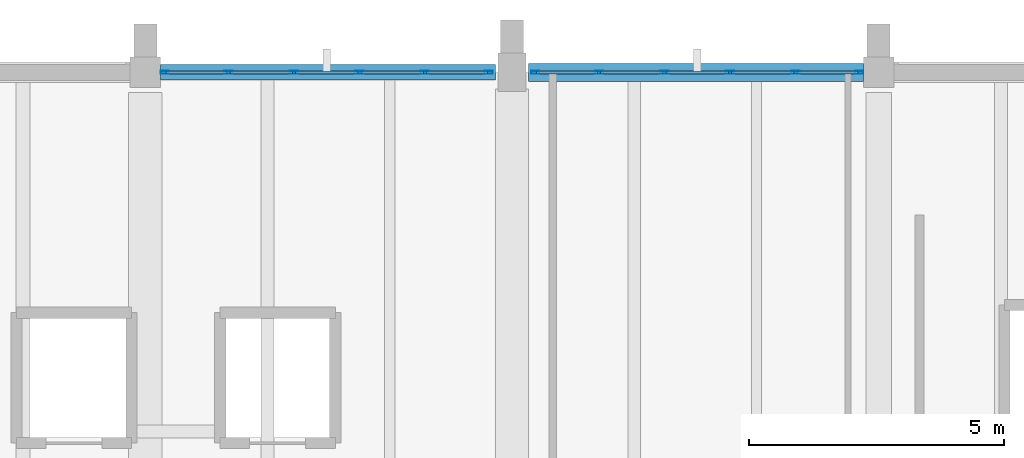
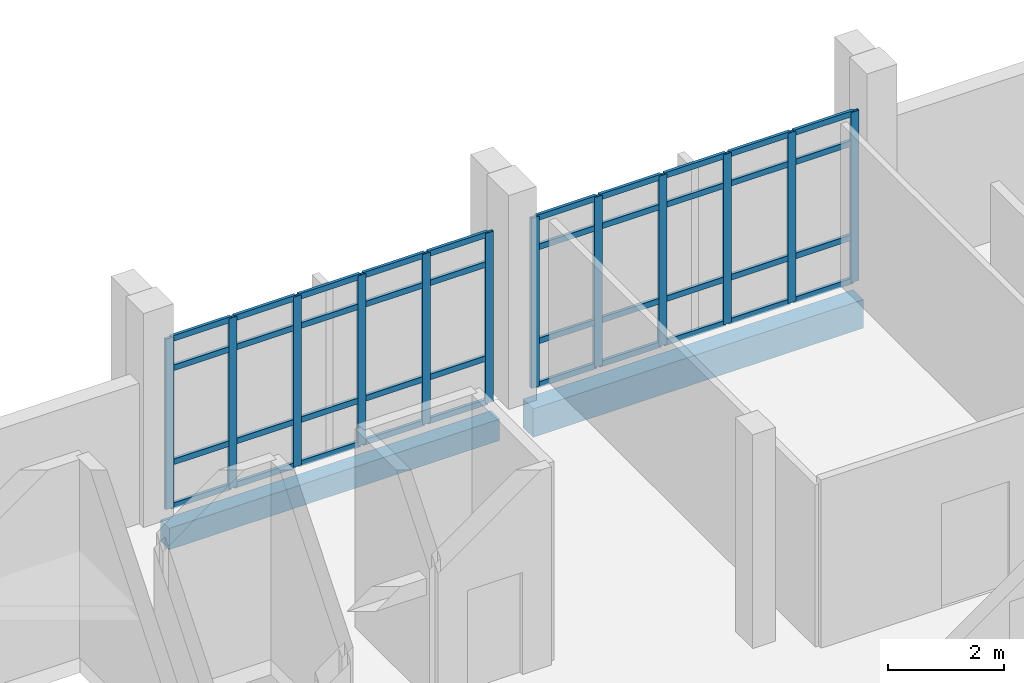
# One storey, part 31 of 62: 52 members, 2 beams, 2 elements without a shape of their own.
"""IFC4 building model written with IfcOpenShell, lengths in metres."""

from ifc_helpers import new_model, si_unit, direction, frame, origin, origin_2d, place, context, subcontext, project, spatial, rectangle, hollow_rectangle, extrude, material, material_profile, profile_set, type_object, element, aggregate, save


model = new_model("IFC4")

# Units and contexts
model_context = context("Model", 3, precision=1e-05, world=origin(), true_north=direction((0.0, 1.0)))
body_context = subcontext(model_context, "Body", "Model", "MODEL_VIEW")
ifc_project = project(units=[si_unit("LENGTHUNIT", "METRE"), si_unit("AREAUNIT", "SQUARE_METRE"), si_unit("VOLUMEUNIT", "CUBIC_METRE"), si_unit("PLANEANGLEUNIT", "RADIAN"), si_unit("MASSUNIT", "GRAM", prefix="KILO")], contexts=[model_context])

# Site, building, storey
site_placement = place(None, origin())
site = spatial("IfcSite", under=ifc_project, at=site_placement, CompositionType="ELEMENT")
building_placement = place(site_placement, origin())
building = spatial("IfcBuilding", under=site, at=building_placement, Name="Kalluvel Institute of Natural Sciences", CompositionType="ELEMENT")
storey_placement = place(building_placement, frame((0.0, 0.0, 27.89990234375)))
storey = spatial("IfcBuildingStorey", under=building, at=storey_placement, Name="L06", CompositionType="ELEMENT", Elevation=27.89990234375)

# Curtain wall, members
ifc_material_1 = material(Name="Aluminium AW-6063 T6", Category="aluminium")
curtain_wall_type = type_object("IfcCurtainWallType", Name="CW-WET-45", PredefinedType="USERDEFINED", material=ifc_material_1)
curtain_wall_1_placement = place(storey_placement, origin())
curtain_wall_1 = element("IfcCurtainWall", 1, at=curtain_wall_1_placement, inside=storey, type_object=curtain_wall_type, Name="L06 Gothic lancet curtain wall CWA-L06-X432-Y1280", ObjectType="UNITISED LANCET FACADE", PredefinedType="USERDEFINED")
ifc_material_profile_1 = material_profile(ifc_material_1, hollow_rectangle(XDim=0.06005859375, YDim=0.159912109375, WallThickness=0.00390625, at=origin_2d()), Name="CWM 60x160")
ifc_profile_set_1 = profile_set([ifc_material_profile_1], Name="Aluminium AW-6063 T6")
member_type_1 = type_object("IfcMemberType", Name="CWM-60x160", PredefinedType="MULLION", material=ifc_profile_set_1)
member_1_placement = place(storey_placement, frame((43.179931640625, 128.0, 0.0), z_axis=(0.0, 0.0, 1.0), x_axis=(0.0, 1.0, 0.0)))
member_1 = element("IfcMember", 2, at=member_1_placement, type_object=member_type_1, Name="CW-01 mullion 1", PredefinedType="MULLION", context=body_context, shape_type="SweptSolid", body=[
    extrude(hollow_rectangle(XDim=0.06005859375, YDim=0.159912109375, WallThickness=0.00390625, at=origin_2d()), origin(), (0.0, 0.0, 1.0), 3.580078125),
])
member_2_placement = place(storey_placement, frame((44.43505859375, 128.0, 0.0), z_axis=(0.0, 0.0, 1.0), x_axis=(0.0, 1.0, 0.0)))
member_2 = element("IfcMember", 3, at=member_2_placement, type_object=member_type_1, Name="CW-01 mullion 2", PredefinedType="MULLION", context=body_context, shape_type="SweptSolid", body=[
    extrude(hollow_rectangle(XDim=0.06005859375, YDim=0.159912109375, WallThickness=0.00390625, at=origin_2d()), origin(), (0.0, 0.0, 1.0), 3.580078125),
])
member_3_placement = place(storey_placement, frame((45.719970703125, 128.0, 0.0), z_axis=(0.0, 0.0, 1.0), x_axis=(0.0, 1.0, 0.0)))
member_3 = element("IfcMember", 4, at=member_3_placement, type_object=member_type_1, Name="CW-01 mullion 3", PredefinedType="MULLION", context=body_context, shape_type="SweptSolid", body=[
    extrude(hollow_rectangle(XDim=0.06005859375, YDim=0.159912109375, WallThickness=0.00390625, at=origin_2d()), origin(), (0.0, 0.0, 1.0), 3.580078125),
])
member_4_placement = place(storey_placement, frame((47.0048828125, 128.0, 0.0), z_axis=(0.0, 0.0, 1.0), x_axis=(0.0, 1.0, 0.0)))
member_4 = element("IfcMember", 5, at=member_4_placement, type_object=member_type_1, Name="CW-01 mullion 4", PredefinedType="MULLION", context=body_context, shape_type="SweptSolid", body=[
    extrude(hollow_rectangle(XDim=0.06005859375, YDim=0.159912109375, WallThickness=0.00390625, at=origin_2d()), origin(), (0.0, 0.0, 1.0), 3.580078125),
])
member_5_placement = place(storey_placement, frame((48.2900390625, 128.0, 0.0), z_axis=(0.0, 0.0, 1.0), x_axis=(0.0, 1.0, 0.0)))
member_5 = element("IfcMember", 6, at=member_5_placement, type_object=member_type_1, Name="CW-01 mullion 5", PredefinedType="MULLION", context=body_context, shape_type="SweptSolid", body=[
    extrude(hollow_rectangle(XDim=0.06005859375, YDim=0.159912109375, WallThickness=0.00390625, at=origin_2d()), origin(), (0.0, 0.0, 1.0), 3.580078125),
])
member_6_placement = place(storey_placement, frame((49.544921875, 128.0, 0.0), z_axis=(0.0, 0.0, 1.0), x_axis=(0.0, 1.0, 0.0)))
member_6 = element("IfcMember", 7, at=member_6_placement, type_object=member_type_1, Name="CW-01 mullion 6", PredefinedType="MULLION", context=body_context, shape_type="SweptSolid", body=[
    extrude(hollow_rectangle(XDim=0.06005859375, YDim=0.159912109375, WallThickness=0.00390625, at=origin_2d()), origin(), (0.0, 0.0, 1.0), 3.580078125),
])

curtain_wall_2_placement = place(storey_placement, origin())
curtain_wall_2 = element("IfcCurtainWall", 8, at=curtain_wall_2_placement, inside=storey, type_object=curtain_wall_type, Name="L06 Gothic lancet curtain wall CWA-L06-X504-Y1280", ObjectType="UNITISED LANCET FACADE", PredefinedType="USERDEFINED")
member_7_placement = place(storey_placement, frame((50.455078125, 128.0, 0.0), z_axis=(0.0, 0.0, 1.0), x_axis=(0.0, 1.0, 0.0)))
member_7 = element("IfcMember", 9, at=member_7_placement, type_object=member_type_1, Name="CW-01 mullion 1", PredefinedType="MULLION", context=body_context, shape_type="SweptSolid", body=[
    extrude(hollow_rectangle(XDim=0.06005859375, YDim=0.159912109375, WallThickness=0.00390625, at=origin_2d()), origin(), (0.0, 0.0, 1.0), 3.580078125),
])
member_8_placement = place(storey_placement, frame((51.7099609375, 128.0, 0.0), z_axis=(0.0, 0.0, 1.0), x_axis=(0.0, 1.0, 0.0)))
member_8 = element("IfcMember", 10, at=member_8_placement, type_object=member_type_1, Name="CW-01 mullion 2", PredefinedType="MULLION", context=body_context, shape_type="SweptSolid", body=[
    extrude(hollow_rectangle(XDim=0.06005859375, YDim=0.159912109375, WallThickness=0.00390625, at=origin_2d()), origin(), (0.0, 0.0, 1.0), 3.580078125),
])
member_9_placement = place(storey_placement, frame((52.9951171875, 128.0, 0.0), z_axis=(0.0, 0.0, 1.0), x_axis=(0.0, 1.0, 0.0)))
member_9 = element("IfcMember", 11, at=member_9_placement, type_object=member_type_1, Name="CW-01 mullion 3", PredefinedType="MULLION", context=body_context, shape_type="SweptSolid", body=[
    extrude(hollow_rectangle(XDim=0.06005859375, YDim=0.159912109375, WallThickness=0.00390625, at=origin_2d()), origin(), (0.0, 0.0, 1.0), 3.580078125),
])
member_10_placement = place(storey_placement, frame((54.280029296875, 128.0, 0.0), z_axis=(0.0, 0.0, 1.0), x_axis=(0.0, 1.0, 0.0)))
member_10 = element("IfcMember", 12, at=member_10_placement, type_object=member_type_1, Name="CW-01 mullion 4", PredefinedType="MULLION", context=body_context, shape_type="SweptSolid", body=[
    extrude(hollow_rectangle(XDim=0.06005859375, YDim=0.159912109375, WallThickness=0.00390625, at=origin_2d()), origin(), (0.0, 0.0, 1.0), 3.580078125),
])
member_11_placement = place(storey_placement, frame((55.56494140625, 128.0, 0.0), z_axis=(0.0, 0.0, 1.0), x_axis=(0.0, 1.0, 0.0)))
member_11 = element("IfcMember", 13, at=member_11_placement, type_object=member_type_1, Name="CW-01 mullion 5", PredefinedType="MULLION", context=body_context, shape_type="SweptSolid", body=[
    extrude(hollow_rectangle(XDim=0.06005859375, YDim=0.159912109375, WallThickness=0.00390625, at=origin_2d()), origin(), (0.0, 0.0, 1.0), 3.580078125),
])
member_12_placement = place(storey_placement, frame((56.820068359375, 128.0, 0.0), z_axis=(0.0, 0.0, 1.0), x_axis=(0.0, 1.0, 0.0)))
member_12 = element("IfcMember", 14, at=member_12_placement, type_object=member_type_1, Name="CW-01 mullion 6", PredefinedType="MULLION", context=body_context, shape_type="SweptSolid", body=[
    extrude(hollow_rectangle(XDim=0.06005859375, YDim=0.159912109375, WallThickness=0.00390625, at=origin_2d()), origin(), (0.0, 0.0, 1.0), 3.580078125),
])

# Member
ifc_material_profile_2 = material_profile(ifc_material_1, hollow_rectangle(XDim=0.06005859375, YDim=0.1201171875, WallThickness=0.00390625, at=origin_2d()), Name="CWT 60x120")
ifc_profile_set_2 = profile_set([ifc_material_profile_2], Name="Aluminium AW-6063 T6")
member_type_2 = type_object("IfcMemberType", Name="CWT-60x120", PredefinedType="USERDEFINED", material=ifc_profile_set_2)
member_13_placement = place(storey_placement, frame((43.2099609375, 128.0, 0.030029296875), z_axis=(1.0, 0.0, 0.0), x_axis=(0.0, 1.0, 0.0)))
member_13 = element("IfcMember", 15, at=member_13_placement, type_object=member_type_2, Name="CW-01 transom 1.1", ObjectType="TRANSOM", PredefinedType="USERDEFINED", context=body_context, shape_type="SweptSolid", body=[
    extrude(hollow_rectangle(XDim=0.06005859375, YDim=0.1201171875, WallThickness=0.00390625, at=origin_2d()), origin(), (0.0, 0.0, 1.0), 1.195068359375),
])

member_14_placement = place(storey_placement, frame((43.2099609375, 128.0, 0.9501953125), z_axis=(1.0, 0.0, 0.0), x_axis=(0.0, 1.0, 0.0)))
member_14 = element("IfcMember", 16, at=member_14_placement, type_object=member_type_2, Name="CW-01 transom 1.2", ObjectType="TRANSOM", PredefinedType="USERDEFINED", context=body_context, shape_type="SweptSolid", body=[
    extrude(hollow_rectangle(XDim=0.06005859375, YDim=0.1201171875, WallThickness=0.00390625, at=origin_2d()), origin(), (0.0, 0.0, 1.0), 1.195068359375),
])

member_15_placement = place(storey_placement, frame((43.2099609375, 128.0, 2.93017578125), z_axis=(1.0, 0.0, 0.0), x_axis=(0.0, 1.0, 0.0)))
member_15 = element("IfcMember", 17, at=member_15_placement, type_object=member_type_2, Name="CW-01 transom 1.3", ObjectType="TRANSOM", PredefinedType="USERDEFINED", context=body_context, shape_type="SweptSolid", body=[
    extrude(hollow_rectangle(XDim=0.06005859375, YDim=0.1201171875, WallThickness=0.00390625, at=origin_2d()), origin(), (0.0, 0.0, 1.0), 1.195068359375),
])

member_16_placement = place(storey_placement, frame((43.2099609375, 128.0, 3.550048828125), z_axis=(1.0, 0.0, 0.0), x_axis=(0.0, 1.0, 0.0)))
member_16 = element("IfcMember", 18, at=member_16_placement, type_object=member_type_2, Name="CW-01 transom 1.4", ObjectType="TRANSOM", PredefinedType="USERDEFINED", context=body_context, shape_type="SweptSolid", body=[
    extrude(hollow_rectangle(XDim=0.06005859375, YDim=0.1201171875, WallThickness=0.00390625, at=origin_2d()), origin(), (0.0, 0.0, 1.0), 1.195068359375),
])

member_17_placement = place(storey_placement, frame((44.465087890625, 128.0, 0.030029296875), z_axis=(1.0, 0.0, 0.0), x_axis=(0.0, 1.0, 0.0)))
member_17 = element("IfcMember", 19, at=member_17_placement, type_object=member_type_2, Name="CW-01 transom 2.1", ObjectType="TRANSOM", PredefinedType="USERDEFINED", context=body_context, shape_type="SweptSolid", body=[
    extrude(hollow_rectangle(XDim=0.06005859375, YDim=0.1201171875, WallThickness=0.00390625, at=origin_2d()), origin(), (0.0, 0.0, 1.0), 1.224853515625),
])

member_18_placement = place(storey_placement, frame((44.465087890625, 128.0, 0.9501953125), z_axis=(1.0, 0.0, 0.0), x_axis=(0.0, 1.0, 0.0)))
member_18 = element("IfcMember", 20, at=member_18_placement, type_object=member_type_2, Name="CW-01 transom 2.2", ObjectType="TRANSOM", PredefinedType="USERDEFINED", context=body_context, shape_type="SweptSolid", body=[
    extrude(hollow_rectangle(XDim=0.06005859375, YDim=0.1201171875, WallThickness=0.00390625, at=origin_2d()), origin(), (0.0, 0.0, 1.0), 1.224853515625),
])

member_19_placement = place(storey_placement, frame((44.465087890625, 128.0, 2.93017578125), z_axis=(1.0, 0.0, 0.0), x_axis=(0.0, 1.0, 0.0)))
member_19 = element("IfcMember", 21, at=member_19_placement, type_object=member_type_2, Name="CW-01 transom 2.3", ObjectType="TRANSOM", PredefinedType="USERDEFINED", context=body_context, shape_type="SweptSolid", body=[
    extrude(hollow_rectangle(XDim=0.06005859375, YDim=0.1201171875, WallThickness=0.00390625, at=origin_2d()), origin(), (0.0, 0.0, 1.0), 1.224853515625),
])

member_20_placement = place(storey_placement, frame((44.465087890625, 128.0, 3.550048828125), z_axis=(1.0, 0.0, 0.0), x_axis=(0.0, 1.0, 0.0)))
member_20 = element("IfcMember", 22, at=member_20_placement, type_object=member_type_2, Name="CW-01 transom 2.4", ObjectType="TRANSOM", PredefinedType="USERDEFINED", context=body_context, shape_type="SweptSolid", body=[
    extrude(hollow_rectangle(XDim=0.06005859375, YDim=0.1201171875, WallThickness=0.00390625, at=origin_2d()), origin(), (0.0, 0.0, 1.0), 1.224853515625),
])

member_21_placement = place(storey_placement, frame((45.75, 128.0, 0.030029296875), z_axis=(1.0, 0.0, 0.0), x_axis=(0.0, 1.0, 0.0)))
member_21 = element("IfcMember", 23, at=member_21_placement, type_object=member_type_2, Name="CW-01 transom 3.1", ObjectType="TRANSOM", PredefinedType="USERDEFINED", context=body_context, shape_type="SweptSolid", body=[
    extrude(hollow_rectangle(XDim=0.06005859375, YDim=0.1201171875, WallThickness=0.00390625, at=origin_2d()), origin(), (0.0, 0.0, 1.0), 1.22509765625),
])

member_22_placement = place(storey_placement, frame((45.75, 128.0, 0.9501953125), z_axis=(1.0, 0.0, 0.0), x_axis=(0.0, 1.0, 0.0)))
member_22 = element("IfcMember", 24, at=member_22_placement, type_object=member_type_2, Name="CW-01 transom 3.2", ObjectType="TRANSOM", PredefinedType="USERDEFINED", context=body_context, shape_type="SweptSolid", body=[
    extrude(hollow_rectangle(XDim=0.06005859375, YDim=0.1201171875, WallThickness=0.00390625, at=origin_2d()), origin(), (0.0, 0.0, 1.0), 1.22509765625),
])

member_23_placement = place(storey_placement, frame((45.75, 128.0, 2.93017578125), z_axis=(1.0, 0.0, 0.0), x_axis=(0.0, 1.0, 0.0)))
member_23 = element("IfcMember", 25, at=member_23_placement, type_object=member_type_2, Name="CW-01 transom 3.3", ObjectType="TRANSOM", PredefinedType="USERDEFINED", context=body_context, shape_type="SweptSolid", body=[
    extrude(hollow_rectangle(XDim=0.06005859375, YDim=0.1201171875, WallThickness=0.00390625, at=origin_2d()), origin(), (0.0, 0.0, 1.0), 1.22509765625),
])

member_24_placement = place(storey_placement, frame((45.75, 128.0, 3.550048828125), z_axis=(1.0, 0.0, 0.0), x_axis=(0.0, 1.0, 0.0)))
member_24 = element("IfcMember", 26, at=member_24_placement, type_object=member_type_2, Name="CW-01 transom 3.4", ObjectType="TRANSOM", PredefinedType="USERDEFINED", context=body_context, shape_type="SweptSolid", body=[
    extrude(hollow_rectangle(XDim=0.06005859375, YDim=0.1201171875, WallThickness=0.00390625, at=origin_2d()), origin(), (0.0, 0.0, 1.0), 1.22509765625),
])

member_25_placement = place(storey_placement, frame((47.034912109375, 128.0, 0.030029296875), z_axis=(1.0, 0.0, 0.0), x_axis=(0.0, 1.0, 0.0)))
member_25 = element("IfcMember", 27, at=member_25_placement, type_object=member_type_2, Name="CW-01 transom 4.1", ObjectType="TRANSOM", PredefinedType="USERDEFINED", context=body_context, shape_type="SweptSolid", body=[
    extrude(hollow_rectangle(XDim=0.06005859375, YDim=0.1201171875, WallThickness=0.00390625, at=origin_2d()), origin(), (0.0, 0.0, 1.0), 1.22509765625),
])

member_26_placement = place(storey_placement, frame((47.034912109375, 128.0, 0.9501953125), z_axis=(1.0, 0.0, 0.0), x_axis=(0.0, 1.0, 0.0)))
member_26 = element("IfcMember", 28, at=member_26_placement, type_object=member_type_2, Name="CW-01 transom 4.2", ObjectType="TRANSOM", PredefinedType="USERDEFINED", context=body_context, shape_type="SweptSolid", body=[
    extrude(hollow_rectangle(XDim=0.06005859375, YDim=0.1201171875, WallThickness=0.00390625, at=origin_2d()), origin(), (0.0, 0.0, 1.0), 1.22509765625),
])

member_27_placement = place(storey_placement, frame((47.034912109375, 128.0, 2.93017578125), z_axis=(1.0, 0.0, 0.0), x_axis=(0.0, 1.0, 0.0)))
member_27 = element("IfcMember", 29, at=member_27_placement, type_object=member_type_2, Name="CW-01 transom 4.3", ObjectType="TRANSOM", PredefinedType="USERDEFINED", context=body_context, shape_type="SweptSolid", body=[
    extrude(hollow_rectangle(XDim=0.06005859375, YDim=0.1201171875, WallThickness=0.00390625, at=origin_2d()), origin(), (0.0, 0.0, 1.0), 1.22509765625),
])

member_28_placement = place(storey_placement, frame((47.034912109375, 128.0, 3.550048828125), z_axis=(1.0, 0.0, 0.0), x_axis=(0.0, 1.0, 0.0)))
member_28 = element("IfcMember", 30, at=member_28_placement, type_object=member_type_2, Name="CW-01 transom 4.4", ObjectType="TRANSOM", PredefinedType="USERDEFINED", context=body_context, shape_type="SweptSolid", body=[
    extrude(hollow_rectangle(XDim=0.06005859375, YDim=0.1201171875, WallThickness=0.00390625, at=origin_2d()), origin(), (0.0, 0.0, 1.0), 1.22509765625),
])

member_29_placement = place(storey_placement, frame((48.320068359375, 128.0, 0.030029296875), z_axis=(1.0, 0.0, 0.0), x_axis=(0.0, 1.0, 0.0)))
member_29 = element("IfcMember", 31, at=member_29_placement, type_object=member_type_2, Name="CW-01 transom 5.1", ObjectType="TRANSOM", PredefinedType="USERDEFINED", context=body_context, shape_type="SweptSolid", body=[
    extrude(hollow_rectangle(XDim=0.06005859375, YDim=0.1201171875, WallThickness=0.00390625, at=origin_2d()), origin(), (0.0, 0.0, 1.0), 1.19482421875),
])

member_30_placement = place(storey_placement, frame((48.320068359375, 128.0, 0.9501953125), z_axis=(1.0, 0.0, 0.0), x_axis=(0.0, 1.0, 0.0)))
member_30 = element("IfcMember", 32, at=member_30_placement, type_object=member_type_2, Name="CW-01 transom 5.2", ObjectType="TRANSOM", PredefinedType="USERDEFINED", context=body_context, shape_type="SweptSolid", body=[
    extrude(hollow_rectangle(XDim=0.06005859375, YDim=0.1201171875, WallThickness=0.00390625, at=origin_2d()), origin(), (0.0, 0.0, 1.0), 1.19482421875),
])

member_31_placement = place(storey_placement, frame((48.320068359375, 128.0, 2.93017578125), z_axis=(1.0, 0.0, 0.0), x_axis=(0.0, 1.0, 0.0)))
member_31 = element("IfcMember", 33, at=member_31_placement, type_object=member_type_2, Name="CW-01 transom 5.3", ObjectType="TRANSOM", PredefinedType="USERDEFINED", context=body_context, shape_type="SweptSolid", body=[
    extrude(hollow_rectangle(XDim=0.06005859375, YDim=0.1201171875, WallThickness=0.00390625, at=origin_2d()), origin(), (0.0, 0.0, 1.0), 1.19482421875),
])

member_32_placement = place(storey_placement, frame((48.320068359375, 128.0, 3.550048828125), z_axis=(1.0, 0.0, 0.0), x_axis=(0.0, 1.0, 0.0)))
member_32 = element("IfcMember", 34, at=member_32_placement, type_object=member_type_2, Name="CW-01 transom 5.4", ObjectType="TRANSOM", PredefinedType="USERDEFINED", context=body_context, shape_type="SweptSolid", body=[
    extrude(hollow_rectangle(XDim=0.06005859375, YDim=0.1201171875, WallThickness=0.00390625, at=origin_2d()), origin(), (0.0, 0.0, 1.0), 1.19482421875),
])

aggregate(curtain_wall_1, [member_1, member_2, member_3, member_4, member_5, member_6, member_13, member_14, member_15, member_16, member_17, member_18, member_19, member_20, member_21, member_22, member_23, member_24, member_25, member_26, member_27, member_28, member_29, member_30, member_31, member_32])

member_33_placement = place(storey_placement, frame((50.485107421875, 128.0, 0.030029296875), z_axis=(1.0, 0.0, 0.0), x_axis=(0.0, 1.0, 0.0)))
member_33 = element("IfcMember", 35, at=member_33_placement, type_object=member_type_2, Name="CW-01 transom 1.1", ObjectType="TRANSOM", PredefinedType="USERDEFINED", context=body_context, shape_type="SweptSolid", body=[
    extrude(hollow_rectangle(XDim=0.06005859375, YDim=0.1201171875, WallThickness=0.00390625, at=origin_2d()), origin(), (0.0, 0.0, 1.0), 1.19482421875),
])

member_34_placement = place(storey_placement, frame((50.485107421875, 128.0, 0.9501953125), z_axis=(1.0, 0.0, 0.0), x_axis=(0.0, 1.0, 0.0)))
member_34 = element("IfcMember", 36, at=member_34_placement, type_object=member_type_2, Name="CW-01 transom 1.2", ObjectType="TRANSOM", PredefinedType="USERDEFINED", context=body_context, shape_type="SweptSolid", body=[
    extrude(hollow_rectangle(XDim=0.06005859375, YDim=0.1201171875, WallThickness=0.00390625, at=origin_2d()), origin(), (0.0, 0.0, 1.0), 1.19482421875),
])

member_35_placement = place(storey_placement, frame((50.485107421875, 128.0, 2.93017578125), z_axis=(1.0, 0.0, 0.0), x_axis=(0.0, 1.0, 0.0)))
member_35 = element("IfcMember", 37, at=member_35_placement, type_object=member_type_2, Name="CW-01 transom 1.3", ObjectType="TRANSOM", PredefinedType="USERDEFINED", context=body_context, shape_type="SweptSolid", body=[
    extrude(hollow_rectangle(XDim=0.06005859375, YDim=0.1201171875, WallThickness=0.00390625, at=origin_2d()), origin(), (0.0, 0.0, 1.0), 1.19482421875),
])

member_36_placement = place(storey_placement, frame((50.485107421875, 128.0, 3.550048828125), z_axis=(1.0, 0.0, 0.0), x_axis=(0.0, 1.0, 0.0)))
member_36 = element("IfcMember", 38, at=member_36_placement, type_object=member_type_2, Name="CW-01 transom 1.4", ObjectType="TRANSOM", PredefinedType="USERDEFINED", context=body_context, shape_type="SweptSolid", body=[
    extrude(hollow_rectangle(XDim=0.06005859375, YDim=0.1201171875, WallThickness=0.00390625, at=origin_2d()), origin(), (0.0, 0.0, 1.0), 1.19482421875),
])

member_37_placement = place(storey_placement, frame((51.739990234375, 128.0, 0.030029296875), z_axis=(1.0, 0.0, 0.0), x_axis=(0.0, 1.0, 0.0)))
member_37 = element("IfcMember", 39, at=member_37_placement, type_object=member_type_2, Name="CW-01 transom 2.1", ObjectType="TRANSOM", PredefinedType="USERDEFINED", context=body_context, shape_type="SweptSolid", body=[
    extrude(hollow_rectangle(XDim=0.06005859375, YDim=0.1201171875, WallThickness=0.00390625, at=origin_2d()), origin(), (0.0, 0.0, 1.0), 1.22509765625),
])

member_38_placement = place(storey_placement, frame((51.739990234375, 128.0, 0.9501953125), z_axis=(1.0, 0.0, 0.0), x_axis=(0.0, 1.0, 0.0)))
member_38 = element("IfcMember", 40, at=member_38_placement, type_object=member_type_2, Name="CW-01 transom 2.2", ObjectType="TRANSOM", PredefinedType="USERDEFINED", context=body_context, shape_type="SweptSolid", body=[
    extrude(hollow_rectangle(XDim=0.06005859375, YDim=0.1201171875, WallThickness=0.00390625, at=origin_2d()), origin(), (0.0, 0.0, 1.0), 1.22509765625),
])

member_39_placement = place(storey_placement, frame((51.739990234375, 128.0, 2.93017578125), z_axis=(1.0, 0.0, 0.0), x_axis=(0.0, 1.0, 0.0)))
member_39 = element("IfcMember", 41, at=member_39_placement, type_object=member_type_2, Name="CW-01 transom 2.3", ObjectType="TRANSOM", PredefinedType="USERDEFINED", context=body_context, shape_type="SweptSolid", body=[
    extrude(hollow_rectangle(XDim=0.06005859375, YDim=0.1201171875, WallThickness=0.00390625, at=origin_2d()), origin(), (0.0, 0.0, 1.0), 1.22509765625),
])

member_40_placement = place(storey_placement, frame((51.739990234375, 128.0, 3.550048828125), z_axis=(1.0, 0.0, 0.0), x_axis=(0.0, 1.0, 0.0)))
member_40 = element("IfcMember", 42, at=member_40_placement, type_object=member_type_2, Name="CW-01 transom 2.4", ObjectType="TRANSOM", PredefinedType="USERDEFINED", context=body_context, shape_type="SweptSolid", body=[
    extrude(hollow_rectangle(XDim=0.06005859375, YDim=0.1201171875, WallThickness=0.00390625, at=origin_2d()), origin(), (0.0, 0.0, 1.0), 1.22509765625),
])

member_41_placement = place(storey_placement, frame((53.02490234375, 128.0, 0.030029296875), z_axis=(1.0, 0.0, 0.0), x_axis=(0.0, 1.0, 0.0)))
member_41 = element("IfcMember", 43, at=member_41_placement, type_object=member_type_2, Name="CW-01 transom 3.1", ObjectType="TRANSOM", PredefinedType="USERDEFINED", context=body_context, shape_type="SweptSolid", body=[
    extrude(hollow_rectangle(XDim=0.06005859375, YDim=0.1201171875, WallThickness=0.00390625, at=origin_2d()), origin(), (0.0, 0.0, 1.0), 1.22509765625),
])

member_42_placement = place(storey_placement, frame((53.02490234375, 128.0, 0.9501953125), z_axis=(1.0, 0.0, 0.0), x_axis=(0.0, 1.0, 0.0)))
member_42 = element("IfcMember", 44, at=member_42_placement, type_object=member_type_2, Name="CW-01 transom 3.2", ObjectType="TRANSOM", PredefinedType="USERDEFINED", context=body_context, shape_type="SweptSolid", body=[
    extrude(hollow_rectangle(XDim=0.06005859375, YDim=0.1201171875, WallThickness=0.00390625, at=origin_2d()), origin(), (0.0, 0.0, 1.0), 1.22509765625),
])

member_43_placement = place(storey_placement, frame((53.02490234375, 128.0, 2.93017578125), z_axis=(1.0, 0.0, 0.0), x_axis=(0.0, 1.0, 0.0)))
member_43 = element("IfcMember", 45, at=member_43_placement, type_object=member_type_2, Name="CW-01 transom 3.3", ObjectType="TRANSOM", PredefinedType="USERDEFINED", context=body_context, shape_type="SweptSolid", body=[
    extrude(hollow_rectangle(XDim=0.06005859375, YDim=0.1201171875, WallThickness=0.00390625, at=origin_2d()), origin(), (0.0, 0.0, 1.0), 1.22509765625),
])

member_44_placement = place(storey_placement, frame((53.02490234375, 128.0, 3.550048828125), z_axis=(1.0, 0.0, 0.0), x_axis=(0.0, 1.0, 0.0)))
member_44 = element("IfcMember", 46, at=member_44_placement, type_object=member_type_2, Name="CW-01 transom 3.4", ObjectType="TRANSOM", PredefinedType="USERDEFINED", context=body_context, shape_type="SweptSolid", body=[
    extrude(hollow_rectangle(XDim=0.06005859375, YDim=0.1201171875, WallThickness=0.00390625, at=origin_2d()), origin(), (0.0, 0.0, 1.0), 1.22509765625),
])

member_45_placement = place(storey_placement, frame((54.31005859375, 128.0, 0.030029296875), z_axis=(1.0, 0.0, 0.0), x_axis=(0.0, 1.0, 0.0)))
member_45 = element("IfcMember", 47, at=member_45_placement, type_object=member_type_2, Name="CW-01 transom 4.1", ObjectType="TRANSOM", PredefinedType="USERDEFINED", context=body_context, shape_type="SweptSolid", body=[
    extrude(hollow_rectangle(XDim=0.06005859375, YDim=0.1201171875, WallThickness=0.00390625, at=origin_2d()), origin(), (0.0, 0.0, 1.0), 1.224853515625),
])

member_46_placement = place(storey_placement, frame((54.31005859375, 128.0, 0.9501953125), z_axis=(1.0, 0.0, 0.0), x_axis=(0.0, 1.0, 0.0)))
member_46 = element("IfcMember", 48, at=member_46_placement, type_object=member_type_2, Name="CW-01 transom 4.2", ObjectType="TRANSOM", PredefinedType="USERDEFINED", context=body_context, shape_type="SweptSolid", body=[
    extrude(hollow_rectangle(XDim=0.06005859375, YDim=0.1201171875, WallThickness=0.00390625, at=origin_2d()), origin(), (0.0, 0.0, 1.0), 1.224853515625),
])

member_47_placement = place(storey_placement, frame((54.31005859375, 128.0, 2.93017578125), z_axis=(1.0, 0.0, 0.0), x_axis=(0.0, 1.0, 0.0)))
member_47 = element("IfcMember", 49, at=member_47_placement, type_object=member_type_2, Name="CW-01 transom 4.3", ObjectType="TRANSOM", PredefinedType="USERDEFINED", context=body_context, shape_type="SweptSolid", body=[
    extrude(hollow_rectangle(XDim=0.06005859375, YDim=0.1201171875, WallThickness=0.00390625, at=origin_2d()), origin(), (0.0, 0.0, 1.0), 1.224853515625),
])

member_48_placement = place(storey_placement, frame((54.31005859375, 128.0, 3.550048828125), z_axis=(1.0, 0.0, 0.0), x_axis=(0.0, 1.0, 0.0)))
member_48 = element("IfcMember", 50, at=member_48_placement, type_object=member_type_2, Name="CW-01 transom 4.4", ObjectType="TRANSOM", PredefinedType="USERDEFINED", context=body_context, shape_type="SweptSolid", body=[
    extrude(hollow_rectangle(XDim=0.06005859375, YDim=0.1201171875, WallThickness=0.00390625, at=origin_2d()), origin(), (0.0, 0.0, 1.0), 1.224853515625),
])

member_49_placement = place(storey_placement, frame((55.594970703125, 128.0, 0.030029296875), z_axis=(1.0, 0.0, 0.0), x_axis=(0.0, 1.0, 0.0)))
member_49 = element("IfcMember", 51, at=member_49_placement, type_object=member_type_2, Name="CW-01 transom 5.1", ObjectType="TRANSOM", PredefinedType="USERDEFINED", context=body_context, shape_type="SweptSolid", body=[
    extrude(hollow_rectangle(XDim=0.06005859375, YDim=0.1201171875, WallThickness=0.00390625, at=origin_2d()), origin(), (0.0, 0.0, 1.0), 1.195068359375),
])

member_50_placement = place(storey_placement, frame((55.594970703125, 128.0, 0.9501953125), z_axis=(1.0, 0.0, 0.0), x_axis=(0.0, 1.0, 0.0)))
member_50 = element("IfcMember", 52, at=member_50_placement, type_object=member_type_2, Name="CW-01 transom 5.2", ObjectType="TRANSOM", PredefinedType="USERDEFINED", context=body_context, shape_type="SweptSolid", body=[
    extrude(hollow_rectangle(XDim=0.06005859375, YDim=0.1201171875, WallThickness=0.00390625, at=origin_2d()), origin(), (0.0, 0.0, 1.0), 1.195068359375),
])

member_51_placement = place(storey_placement, frame((55.594970703125, 128.0, 2.93017578125), z_axis=(1.0, 0.0, 0.0), x_axis=(0.0, 1.0, 0.0)))
member_51 = element("IfcMember", 53, at=member_51_placement, type_object=member_type_2, Name="CW-01 transom 5.3", ObjectType="TRANSOM", PredefinedType="USERDEFINED", context=body_context, shape_type="SweptSolid", body=[
    extrude(hollow_rectangle(XDim=0.06005859375, YDim=0.1201171875, WallThickness=0.00390625, at=origin_2d()), origin(), (0.0, 0.0, 1.0), 1.195068359375),
])

member_52_placement = place(storey_placement, frame((55.594970703125, 128.0, 3.550048828125), z_axis=(1.0, 0.0, 0.0), x_axis=(0.0, 1.0, 0.0)))
member_52 = element("IfcMember", 54, at=member_52_placement, type_object=member_type_2, Name="CW-01 transom 5.4", ObjectType="TRANSOM", PredefinedType="USERDEFINED", context=body_context, shape_type="SweptSolid", body=[
    extrude(hollow_rectangle(XDim=0.06005859375, YDim=0.1201171875, WallThickness=0.00390625, at=origin_2d()), origin(), (0.0, 0.0, 1.0), 1.195068359375),
])

aggregate(curtain_wall_2, [member_7, member_8, member_9, member_10, member_11, member_12, member_33, member_34, member_35, member_36, member_37, member_38, member_39, member_40, member_41, member_42, member_43, member_44, member_45, member_46, member_47, member_48, member_49, member_50, member_51, member_52])

# Beams
ifc_material_2 = material(Name="Concrete M40", Category="concrete")
ifc_material_profile_3 = material_profile(ifc_material_2, rectangle(XDim=0.300048828125, YDim=0.449951171875, at=origin_2d()), Name="RCB 300x450")
ifc_profile_set_3 = profile_set([ifc_material_profile_3], Name="Concrete M40")
beam_type_1 = type_object("IfcBeamType", Name="SP-RC300x450", PredefinedType="SPANDREL", material=ifc_profile_set_3)
beam_1_placement = place(storey_placement, frame((43.10009765625, 128.0, -0.544921875), z_axis=(1.0, 0.0, 0.0), x_axis=(0.0, 1.0, 0.0)))
element("IfcBeam", 55, at=beam_1_placement, inside=storey, type_object=beam_type_1, Name="L06 girder GIR-L06-EW-X428-Y1280", PredefinedType="SPANDREL", context=body_context, shape_type="SweptSolid", body=[
    extrude(rectangle(XDim=0.300048828125, YDim=0.449951171875, at=origin_2d()), origin(), (0.0, 0.0, 1.0), 6.574951171875),
])
ifc_material_profile_4 = material_profile(ifc_material_2, rectangle(XDim=0.35009765625, YDim=0.60009765625, at=origin_2d()), Name="RCB 350x600")
ifc_profile_set_4 = profile_set([ifc_material_profile_4], Name="Concrete M40")
beam_type_2 = type_object("IfcBeamType", Name="SP-RC350x600", PredefinedType="SPANDREL", material=ifc_profile_set_4)
beam_2_placement = place(storey_placement, frame((50.324951171875, 128.0, -0.619873046875), z_axis=(1.0, 0.0, 0.0), x_axis=(0.0, 1.0, 0.0)))
element("IfcBeam", 56, at=beam_2_placement, inside=storey, type_object=beam_type_2, Name="L06 girder GIR-L06-EW-X500-Y1280", PredefinedType="SPANDREL", context=body_context, shape_type="SweptSolid", body=[
    extrude(rectangle(XDim=0.35009765625, YDim=0.60009765625, at=origin_2d()), origin(), (0.0, 0.0, 1.0), 6.574951171875),
])

save(model, "model.ifc")
